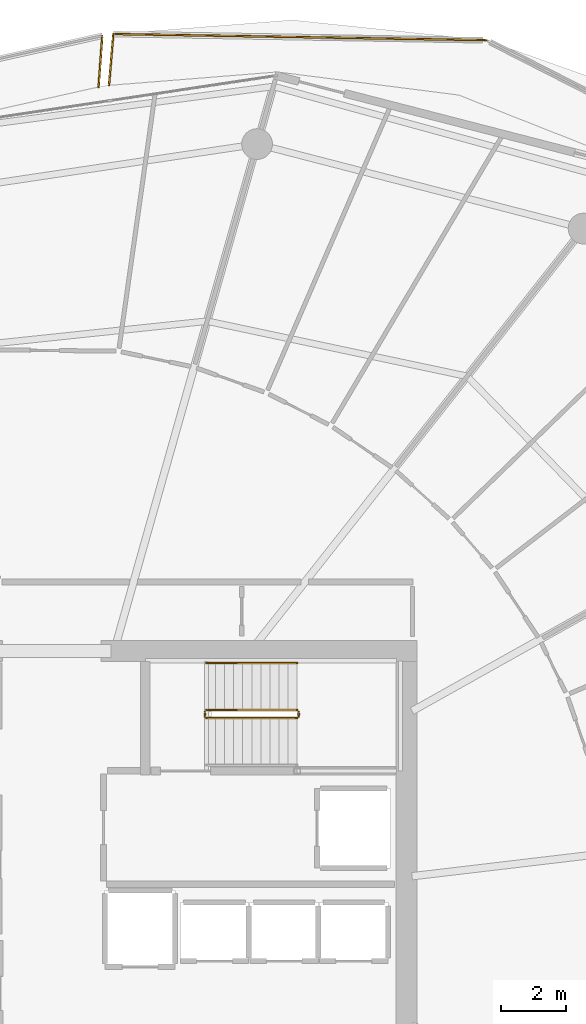
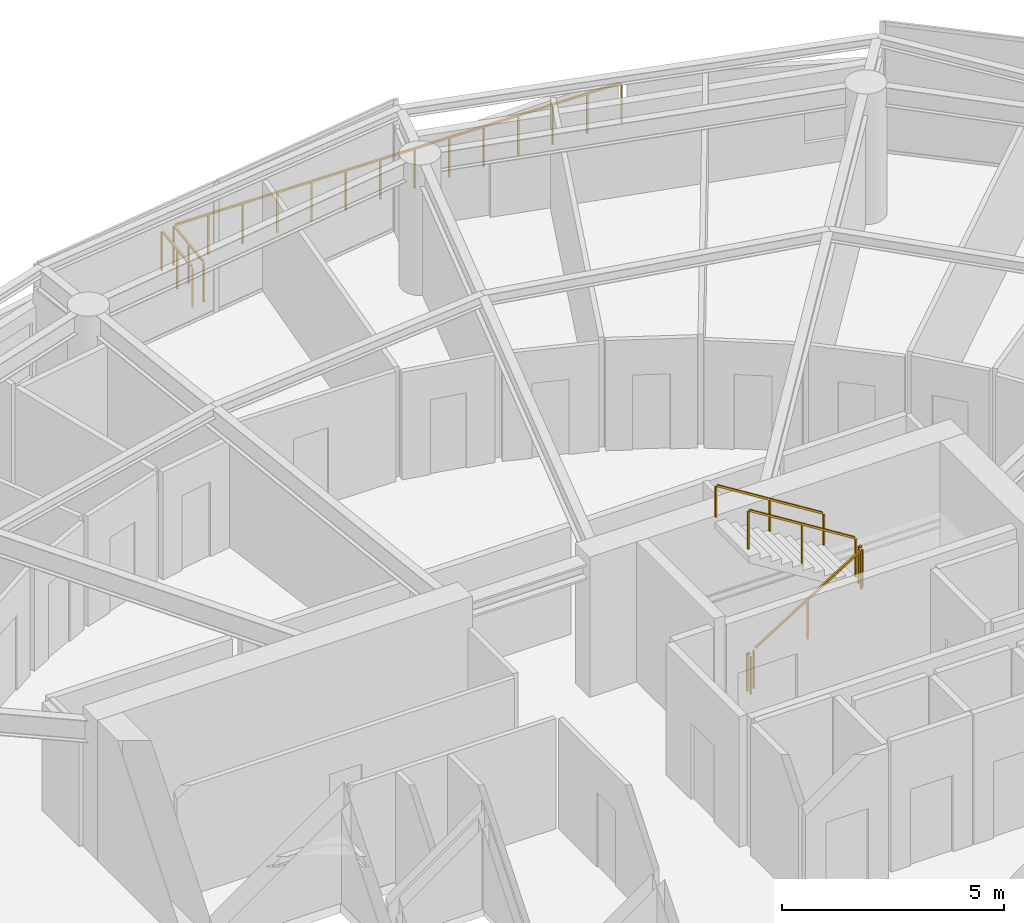
# One storey, part 29 of 30: 8 railings.
"""IFC4 building model written with IfcOpenShell, lengths in metres."""

from ifc_helpers import new_model, si_unit, direction, frame, origin, origin_2d, place, context, subcontext, project, spatial, rectangle, extrude, material, type_object, element, save


model = new_model("IFC4")

# Units and contexts
model_context = context("Model", 3, precision=1e-05, world=origin(), true_north=direction((0.0, 1.0)))
body_context = subcontext(model_context, "Body", "Model", "MODEL_VIEW")
ifc_project = project(units=[si_unit("LENGTHUNIT", "METRE"), si_unit("AREAUNIT", "SQUARE_METRE"), si_unit("VOLUMEUNIT", "CUBIC_METRE"), si_unit("PLANEANGLEUNIT", "RADIAN"), si_unit("MASSUNIT", "GRAM", prefix="KILO")], contexts=[model_context])

# Site, building, storey
site_placement = place(None, origin())
site = spatial("IfcSite", under=ifc_project, at=site_placement, CompositionType="ELEMENT")
building_placement = place(site_placement, origin())
building = spatial("IfcBuilding", under=site, at=building_placement, Name="Kazma Halo Residences", CompositionType="ELEMENT")
storey_placement = place(building_placement, frame((0.0, 0.0, 267.5)))
storey = spatial("IfcBuildingStorey", under=building, at=storey_placement, Name="L67", CompositionType="ELEMENT", Elevation=267.5)

# Railings
ifc_material_1 = material(Name="Aluminium AW-6063 T6 Brushed Cap Rail", Category="aluminium")
railing_type_1 = type_object("IfcRailingType", Name="RLG-BAL-CAP-1120", PredefinedType="BALUSTRADE", material=ifc_material_1)
railing_1_placement = place(storey_placement, frame((61.852783203125, 69.1875, 0.0)))
element("IfcRailing", 1, at=railing_1_placement, inside=storey, type_object=railing_type_1, Name="L67 NE wave balcony guard 3", PredefinedType="BALUSTRADE", context=body_context, shape_type="SweptSolid", body=[
    extrude(rectangle(XDim=0.050048828125, YDim=0.050048828125, at=origin_2d()), frame((-0.04248046875, 0.000732421875, 1.09521484375), z_axis=(-0.999862231462, 0.01659873776, 0.0), x_axis=(-0.01659873776, -0.999862231462, 0.0)), (0.0, 0.0, 1.0), 11.4462890625),
    extrude(rectangle(XDim=0.0400390625, YDim=0.0400390625, at=origin_2d()), origin(), (0.0, 0.0, 1.0), 1.05810546875),
    extrude(rectangle(XDim=0.0400390625, YDim=0.0400390625, at=origin_2d()), frame((-0.886962890625, 0.0146484375, 0.0)), (0.0, 0.0, 1.0), 1.05810546875),
    extrude(rectangle(XDim=0.0400390625, YDim=0.0400390625, at=origin_2d()), frame((-1.77392578125, 0.029541015625, 0.0)), (0.0, 0.0, 1.0), 1.05810546875),
    extrude(rectangle(XDim=0.0400390625, YDim=0.0400390625, at=origin_2d()), frame((-2.66064453125, 0.044189453125, 0.0)), (0.0, 0.0, 1.0), 1.05810546875),
    extrude(rectangle(XDim=0.0400390625, YDim=0.0400390625, at=origin_2d()), frame((-3.547607421875, 0.058837890625, 0.0)), (0.0, 0.0, 1.0), 1.05810546875),
    extrude(rectangle(XDim=0.0400390625, YDim=0.0400390625, at=origin_2d()), frame((-4.4345703125, 0.07373046875, 0.0)), (0.0, 0.0, 1.0), 1.05810546875),
    extrude(rectangle(XDim=0.0400390625, YDim=0.0400390625, at=origin_2d()), frame((-5.321533203125, 0.08837890625, 0.0)), (0.0, 0.0, 1.0), 1.05810546875),
    extrude(rectangle(XDim=0.0400390625, YDim=0.0400390625, at=origin_2d()), frame((-6.208251953125, 0.10302734375, 0.0)), (0.0, 0.0, 1.0), 1.05810546875),
    extrude(rectangle(XDim=0.0400390625, YDim=0.0400390625, at=origin_2d()), frame((-7.09521484375, 0.11767578125, 0.0)), (0.0, 0.0, 1.0), 1.05810546875),
    extrude(rectangle(XDim=0.0400390625, YDim=0.0400390625, at=origin_2d()), frame((-7.982177734375, 0.132568359375, 0.0)), (0.0, 0.0, 1.0), 1.05810546875),
    extrude(rectangle(XDim=0.0400390625, YDim=0.0400390625, at=origin_2d()), frame((-8.869140625, 0.147216796875, 0.0)), (0.0, 0.0, 1.0), 1.05810546875),
    extrude(rectangle(XDim=0.0400390625, YDim=0.0400390625, at=origin_2d()), frame((-9.755859375, 0.161865234375, 0.0)), (0.0, 0.0, 1.0), 1.05810546875),
    extrude(rectangle(XDim=0.0400390625, YDim=0.0400390625, at=origin_2d()), frame((-10.642822265625, 0.1767578125, 0.0)), (0.0, 0.0, 1.0), 1.05810546875),
    extrude(rectangle(XDim=0.0400390625, YDim=0.0400390625, at=origin_2d()), frame((-11.52978515625, 0.19140625, 0.0)), (0.0, 0.0, 1.0), 1.05810546875),
])
railing_2_placement = place(storey_placement, frame((50.322998046875, 69.37890625, 0.0)))
element("IfcRailing", 2, at=railing_2_placement, inside=storey, type_object=railing_type_1, Name="L67 NE wave balcony guard 4", PredefinedType="BALUSTRADE", context=body_context, shape_type="SweptSolid", body=[
    extrude(rectangle(XDim=0.050048828125, YDim=0.050048828125, at=origin_2d()), frame((-0.003662109375, -0.04248046875, 1.09521484375), z_axis=(-0.084430160174, -0.996429399432, 0.0), x_axis=(0.996429399432, -0.084430160174, 0.0)), (0.0, 0.0, 1.0), 1.50537109375),
    extrude(rectangle(XDim=0.0400390625, YDim=0.0400390625, at=origin_2d()), origin(), (0.0, 0.0, 1.0), 1.05810546875),
    extrude(rectangle(XDim=0.0400390625, YDim=0.0400390625, at=origin_2d()), frame((-0.067138671875, -0.79248046875, 0.0)), (0.0, 0.0, 1.0), 1.05810546875),
    extrude(rectangle(XDim=0.0400390625, YDim=0.0400390625, at=origin_2d()), frame((-0.13427734375, -1.584716796875, 0.0)), (0.0, 0.0, 1.0), 1.05810546875),
])
railing_3_placement = place(storey_placement, frame((49.8681640625, 67.74609375, 0.0)))
element("IfcRailing", 3, at=railing_3_placement, inside=storey, type_object=railing_type_1, Name="L67 NNW wave balcony guard 1", PredefinedType="BALUSTRADE", context=body_context, shape_type="SweptSolid", body=[
    extrude(rectangle(XDim=0.050048828125, YDim=0.050048828125, at=origin_2d()), frame((0.003173828125, 0.04248046875, 1.09521484375), z_axis=(0.072374162312, 0.997377551697, 0.0), x_axis=(-0.997377551697, 0.072374162312, 0.0)), (0.0, 0.0, 1.0), 1.50048828125),
    extrude(rectangle(XDim=0.0400390625, YDim=0.0400390625, at=origin_2d()), origin(), (0.0, 0.0, 1.0), 1.05810546875),
    extrude(rectangle(XDim=0.0400390625, YDim=0.0400390625, at=origin_2d()), frame((0.057373046875, 0.79052734375, 0.0)), (0.0, 0.0, 1.0), 1.05810546875),
    extrude(rectangle(XDim=0.0400390625, YDim=0.0400390625, at=origin_2d()), frame((0.11474609375, 1.581298828125, 0.0)), (0.0, 0.0, 1.0), 1.05810546875),
])
ifc_material_2 = material(Name="Painted Steel S355", Category="steel")
railing_type_2 = type_object("IfcRailingType", Name="RLG-STAIR-GRD-1100", PredefinedType="GUARDRAIL", material=ifc_material_2)
railing_4_placement = place(storey_placement, frame((53.199951171875, 48.25, 0.175048828125)))
element("IfcRailing", 4, at=railing_4_placement, inside=storey, type_object=railing_type_2, Name="L67 ST-02 stair guard 1", PredefinedType="GUARDRAIL", context=body_context, shape_type="SweptSolid", body=[
    extrude(rectangle(XDim=0.050048828125, YDim=0.050048828125, at=origin_2d()), frame((0.0361328125, 0.0, 1.09765625), z_axis=(0.848002457836, 0.0, 0.529992293815), x_axis=(0.0, 1.0, 0.0)), (0.0, 0.0, 1.0), 3.216796875),
    extrude(rectangle(XDim=0.0400390625, YDim=0.0400390625, at=origin_2d()), origin(), (0.0, 0.0, 1.0), 1.0380859375),
    extrude(rectangle(XDim=0.0400390625, YDim=0.0400390625, at=origin_2d()), frame((1.39990234375, 0.0, 0.875)), (0.0, 0.0, 1.0), 1.0380859375),
    extrude(rectangle(XDim=0.0400390625, YDim=0.0400390625, at=origin_2d()), frame((2.800048828125, 0.0, 1.75)), (0.0, 0.0, 1.0), 1.0380859375),
])
railing_5_placement = place(storey_placement, frame((56.050048828125, 48.300048828125, 1.925048828125)))
element("IfcRailing", 5, at=railing_5_placement, inside=storey, type_object=railing_type_2, Name="L67 ST-02 stair guard 2", PredefinedType="GUARDRAIL", context=body_context, shape_type="SweptSolid", body=[
    extrude(rectangle(XDim=0.050048828125, YDim=0.050048828125, at=origin_2d()), frame((0.0, 0.04248046875, 1.0751953125), z_axis=(0.0, 1.0, 0.0), x_axis=(-1.0, 0.0, 0.0)), (0.0, 0.0, 1.0), 0.06494140625),
    extrude(rectangle(XDim=0.0400390625, YDim=0.0400390625, at=origin_2d()), origin(), (0.0, 0.0, 1.0), 1.0380859375),
    extrude(rectangle(XDim=0.0400390625, YDim=0.0400390625, at=origin_2d()), frame((0.0, 0.14990234375, 0.0)), (0.0, 0.0, 1.0), 1.0380859375),
])
railing_6_placement = place(storey_placement, frame((56.0, 48.5, 2.10009765625)))
element("IfcRailing", 6, at=railing_6_placement, inside=storey, type_object=railing_type_2, Name="L67 ST-02 stair guard 3", PredefinedType="GUARDRAIL", context=body_context, shape_type="SweptSolid", body=[
    extrude(rectangle(XDim=0.050048828125, YDim=0.050048828125, at=origin_2d()), frame((-0.0361328125, 0.0, 1.09765625), z_axis=(-0.848002457836, 0.0, 0.529992293815), x_axis=(0.0, -1.0, 0.0)), (0.0, 0.0, 1.0), 3.216796875),
    extrude(rectangle(XDim=0.0400390625, YDim=0.0400390625, at=origin_2d()), origin(), (0.0, 0.0, 1.0), 1.0380859375),
    extrude(rectangle(XDim=0.0400390625, YDim=0.0400390625, at=origin_2d()), frame((-1.39990234375, 0.0, 0.875)), (0.0, 0.0, 1.0), 1.0380859375),
    extrude(rectangle(XDim=0.0400390625, YDim=0.0400390625, at=origin_2d()), frame((-2.800048828125, 0.0, 1.75)), (0.0, 0.0, 1.0), 1.0380859375),
])
railing_7_placement = place(storey_placement, frame((53.14990234375, 48.300048828125, 0.0)))
element("IfcRailing", 7, at=railing_7_placement, inside=storey, type_object=railing_type_2, Name="L67 ST-02 stair guard 4", PredefinedType="GUARDRAIL", context=body_context, shape_type="SweptSolid", body=[
    extrude(rectangle(XDim=0.050048828125, YDim=0.050048828125, at=origin_2d()), frame((0.0, 0.04248046875, 1.0751953125), z_axis=(0.0, 1.0, 0.0), x_axis=(-1.0, 0.0, 0.0)), (0.0, 0.0, 1.0), 0.06494140625),
    extrude(rectangle(XDim=0.0400390625, YDim=0.0400390625, at=origin_2d()), origin(), (0.0, 0.0, 1.0), 1.0380859375),
    extrude(rectangle(XDim=0.0400390625, YDim=0.0400390625, at=origin_2d()), frame((0.0, 0.14990234375, 0.0)), (0.0, 0.0, 1.0), 1.0380859375),
])
ifc_material_3 = material(Name="Brushed Stainless Steel", Category="steel")
railing_type_3 = type_object("IfcRailingType", Name="RLG-STAIR-HND-900", PredefinedType="HANDRAIL", material=ifc_material_3)
railing_8_placement = place(storey_placement, frame((56.0, 49.949951171875, 2.10009765625)))
element("IfcRailing", 8, at=railing_8_placement, inside=storey, type_object=railing_type_3, Name="L67 ST-02 stair handrail 2", PredefinedType="HANDRAIL", context=body_context, shape_type="SweptSolid", body=[
    extrude(rectangle(XDim=0.050048828125, YDim=0.050048828125, at=origin_2d()), frame((-0.0361328125, 0.0, 0.8974609375), z_axis=(-0.848002457836, 0.0, 0.529992293815), x_axis=(0.0, -1.0, 0.0)), (0.0, 0.0, 1.0), 3.216796875),
    extrude(rectangle(XDim=0.0400390625, YDim=0.0400390625, at=origin_2d()), origin(), (0.0, 0.0, 1.0), 0.837890625),
    extrude(rectangle(XDim=0.0400390625, YDim=0.0400390625, at=origin_2d()), frame((-1.39990234375, 0.0, 0.875)), (0.0, 0.0, 1.0), 0.837890625),
    extrude(rectangle(XDim=0.0400390625, YDim=0.0400390625, at=origin_2d()), frame((-2.800048828125, 0.0, 1.75)), (0.0, 0.0, 1.0), 0.837890625),
])

save(model, "model.ifc")
